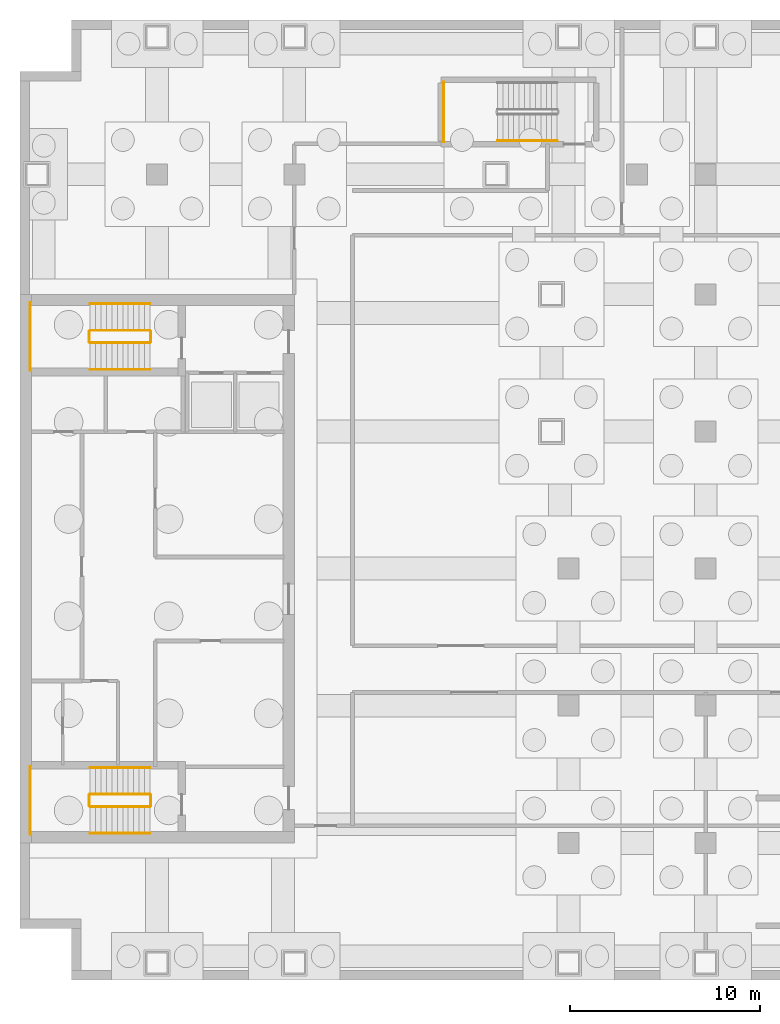
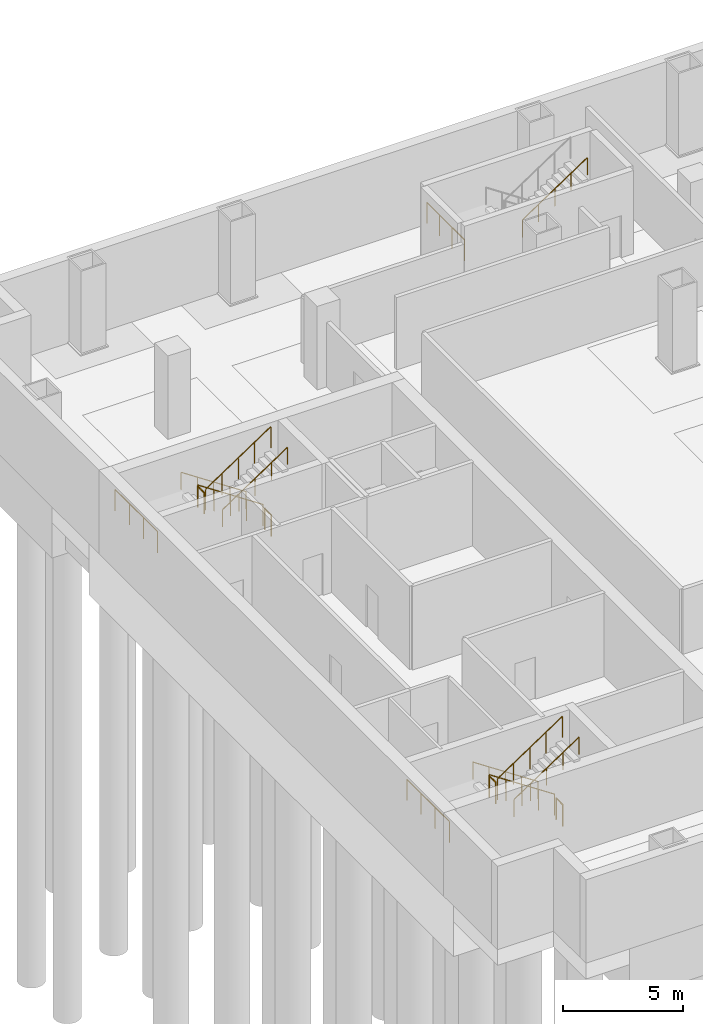
# One storey, part 9 of 11: 16 railings.
"""IFC4 building model written with IfcOpenShell, lengths in metres."""

from ifc_helpers import new_model, si_unit, direction, frame, origin, origin_2d, place, context, subcontext, project, spatial, circle, extrude, material, type_object, element, save


model = new_model("IFC4")

# Units and contexts
model_context = context("Model", 3, precision=1e-05, world=origin(), true_north=direction((0.0, 1.0)))
body_context = subcontext(model_context, "Body", "Model", "MODEL_VIEW")
ifc_project = project(units=[si_unit("LENGTHUNIT", "METRE"), si_unit("AREAUNIT", "SQUARE_METRE"), si_unit("VOLUMEUNIT", "CUBIC_METRE"), si_unit("PLANEANGLEUNIT", "RADIAN"), si_unit("MASSUNIT", "GRAM", prefix="KILO")], contexts=[model_context])

# Site, building, storey
site_placement = place(None, origin())
site = spatial("IfcSite", under=ifc_project, at=site_placement, CompositionType="ELEMENT")
building_placement = place(site_placement, origin())
building = spatial("IfcBuilding", under=site, at=building_placement, Name="Cobrela Telecom Tower", CompositionType="ELEMENT")
storey_placement = place(building_placement, frame((0.0, 0.0, -9.10009765625)))
storey = spatial("IfcBuildingStorey", under=building, at=storey_placement, Name="B2", CompositionType="ELEMENT", Elevation=-9.10009765625)

# Railings
ifc_material = material(Name="Steel ASTM A36", Category="steel")
railing_type_1 = type_object("IfcRailingType", Name="RAIL-GUARD-1100", PredefinedType="GUARDRAIL", material=ifc_material)
railing_1_placement = place(storey_placement, frame((6.820068359375, 34.10009765625, 0.189697265625)))
element("IfcRailing", 1, at=railing_1_placement, inside=storey, type_object=railing_type_1, Name="B2 ST1 stair guard 1", PredefinedType="GUARDRAIL", context=body_context, shape_type="SweptSolid", body=[
    extrude(circle(Radius=0.02392578125, at=origin_2d()), frame((0.0, 0.0, 1.076171875), z_axis=(-0.832608492644, 0.0, 0.553861984593), x_axis=(0.0, -1.0, 0.0)), (0.0, 0.0, 1.0), 3.765380859375),
    extrude(circle(Radius=0.02099609375, at=origin_2d()), origin(), (0.0, 0.0, 1.0), 1.052001953125),
    extrude(circle(Radius=0.02099609375, at=origin_2d()), frame((-0.78369140625, 0.0, 0.521484375)), (0.0, 0.0, 1.0), 1.052001953125),
    extrude(circle(Radius=0.02099609375, at=origin_2d()), frame((-1.5673828125, 0.0, 1.042724609375)), (0.0, 0.0, 1.0), 1.052001953125),
    extrude(circle(Radius=0.02099609375, at=origin_2d()), frame((-2.351318359375, 0.0, 1.56396484375)), (0.0, 0.0, 1.0), 1.052001953125),
    extrude(circle(Radius=0.02099609375, at=origin_2d()), frame((-3.135009765625, 0.0, 2.08544921875)), (0.0, 0.0, 1.0), 1.052001953125),
])
railing_2_placement = place(storey_placement, frame((3.635009765625, 34.050048828125, 2.275146484375)))
element("IfcRailing", 2, at=railing_2_placement, inside=storey, type_object=railing_type_1, Name="B2 ST1 stair guard 2", PredefinedType="GUARDRAIL", context=body_context, shape_type="SweptSolid", body=[
    extrude(circle(Radius=0.02392578125, at=origin_2d()), frame((0.0, 0.0, 1.076171875), z_axis=(0.0, -1.0, 0.0), x_axis=(1.0, 0.0, 0.0)), (0.0, 0.0, 1.0), 0.550048828125),
    extrude(circle(Radius=0.02099609375, at=origin_2d()), origin(), (0.0, 0.0, 1.0), 1.052001953125),
    extrude(circle(Radius=0.02099609375, at=origin_2d()), frame((0.0, -0.550048828125, 0.0)), (0.0, 0.0, 1.0), 1.052001953125),
])
railing_3_placement = place(storey_placement, frame((0.530029296875, 35.550048828125, 2.275146484375)))
element("IfcRailing", 3, at=railing_3_placement, inside=storey, type_object=railing_type_1, Name="B2 ST1 stair guard 3", PredefinedType="GUARDRAIL", context=body_context, shape_type="SweptSolid", body=[
    extrude(circle(Radius=0.02392578125, at=origin_2d()), frame((0.0, 0.0, 1.076171875), z_axis=(0.0, -1.0, 0.0), x_axis=(1.0, 0.0, 0.0)), (0.0, 0.0, 1.0), 3.550048828125),
    extrude(circle(Radius=0.02099609375, at=origin_2d()), origin(), (0.0, 0.0, 1.0), 1.052001953125),
    extrude(circle(Radius=0.02099609375, at=origin_2d()), frame((0.0, -1.183349609375, 0.0)), (0.0, 0.0, 1.0), 1.052001953125),
    extrude(circle(Radius=0.02099609375, at=origin_2d()), frame((0.0, -2.36669921875, 0.0)), (0.0, 0.0, 1.0), 1.052001953125),
    extrude(circle(Radius=0.02099609375, at=origin_2d()), frame((0.0, -3.550048828125, 0.0)), (0.0, 0.0, 1.0), 1.052001953125),
])
railing_4_placement = place(storey_placement, frame((3.68505859375, 33.449951171875, 2.464599609375)))
element("IfcRailing", 4, at=railing_4_placement, inside=storey, type_object=railing_type_1, Name="B2 ST1 stair guard 4", PredefinedType="GUARDRAIL", context=body_context, shape_type="SweptSolid", body=[
    extrude(circle(Radius=0.02392578125, at=origin_2d()), frame((0.0, 0.0, 1.076171875), z_axis=(0.832608492644, 0.0, 0.553861984593), x_axis=(0.0, 1.0, 0.0)), (0.0, 0.0, 1.0), 3.765380859375),
    extrude(circle(Radius=0.02099609375, at=origin_2d()), origin(), (0.0, 0.0, 1.0), 1.052001953125),
    extrude(circle(Radius=0.02099609375, at=origin_2d()), frame((0.78369140625, 0.0, 0.521484375)), (0.0, 0.0, 1.0), 1.052001953125),
    extrude(circle(Radius=0.02099609375, at=origin_2d()), frame((1.5673828125, 0.0, 1.042724609375)), (0.0, 0.0, 1.0), 1.052001953125),
    extrude(circle(Radius=0.02099609375, at=origin_2d()), frame((2.351318359375, 0.0, 1.56396484375)), (0.0, 0.0, 1.0), 1.052001953125),
    extrude(circle(Radius=0.02099609375, at=origin_2d()), frame((3.135009765625, 0.0, 2.08544921875)), (0.0, 0.0, 1.0), 1.052001953125),
])
railing_5_placement = place(storey_placement, frame((6.8701171875, 34.050048828125, 0.0)))
element("IfcRailing", 5, at=railing_5_placement, inside=storey, type_object=railing_type_1, Name="B2 ST1 stair guard 5", PredefinedType="GUARDRAIL", context=body_context, shape_type="SweptSolid", body=[
    extrude(circle(Radius=0.02392578125, at=origin_2d()), frame((0.0, 0.0, 1.076171875), z_axis=(0.0, -1.0, 0.0), x_axis=(1.0, 0.0, 0.0)), (0.0, 0.0, 1.0), 0.550048828125),
    extrude(circle(Radius=0.02099609375, at=origin_2d()), origin(), (0.0, 0.0, 1.0), 1.052001953125),
    extrude(circle(Radius=0.02099609375, at=origin_2d()), frame((0.0, -0.550048828125, 0.0)), (0.0, 0.0, 1.0), 1.052001953125),
])
railing_6_placement = place(storey_placement, frame((6.820068359375, 9.75, 0.189697265625)))
element("IfcRailing", 6, at=railing_6_placement, inside=storey, type_object=railing_type_1, Name="B2 ST2 stair guard 1", PredefinedType="GUARDRAIL", context=body_context, shape_type="SweptSolid", body=[
    extrude(circle(Radius=0.02392578125, at=origin_2d()), frame((0.0, 0.0, 1.076171875), z_axis=(-0.832608492644, 0.0, 0.553861984593), x_axis=(0.0, -1.0, 0.0)), (0.0, 0.0, 1.0), 3.765380859375),
    extrude(circle(Radius=0.02099609375, at=origin_2d()), origin(), (0.0, 0.0, 1.0), 1.052001953125),
    extrude(circle(Radius=0.02099609375, at=origin_2d()), frame((-0.78369140625, 0.0, 0.521484375)), (0.0, 0.0, 1.0), 1.052001953125),
    extrude(circle(Radius=0.02099609375, at=origin_2d()), frame((-1.5673828125, 0.0, 1.042724609375)), (0.0, 0.0, 1.0), 1.052001953125),
    extrude(circle(Radius=0.02099609375, at=origin_2d()), frame((-2.351318359375, 0.0, 1.56396484375)), (0.0, 0.0, 1.0), 1.052001953125),
    extrude(circle(Radius=0.02099609375, at=origin_2d()), frame((-3.135009765625, 0.0, 2.08544921875)), (0.0, 0.0, 1.0), 1.052001953125),
])
railing_7_placement = place(storey_placement, frame((3.635009765625, 9.699951171875, 2.275146484375)))
element("IfcRailing", 7, at=railing_7_placement, inside=storey, type_object=railing_type_1, Name="B2 ST2 stair guard 2", PredefinedType="GUARDRAIL", context=body_context, shape_type="SweptSolid", body=[
    extrude(circle(Radius=0.02392578125, at=origin_2d()), frame((0.0, 0.0, 1.076171875), z_axis=(0.0, -1.0, 0.0), x_axis=(1.0, 0.0, 0.0)), (0.0, 0.0, 1.0), 0.550048828125),
    extrude(circle(Radius=0.02099609375, at=origin_2d()), origin(), (0.0, 0.0, 1.0), 1.052001953125),
    extrude(circle(Radius=0.02099609375, at=origin_2d()), frame((0.0, -0.550048828125, 0.0)), (0.0, 0.0, 1.0), 1.052001953125),
])
railing_8_placement = place(storey_placement, frame((0.530029296875, 11.199951171875, 2.275146484375)))
element("IfcRailing", 8, at=railing_8_placement, inside=storey, type_object=railing_type_1, Name="B2 ST2 stair guard 3", PredefinedType="GUARDRAIL", context=body_context, shape_type="SweptSolid", body=[
    extrude(circle(Radius=0.02392578125, at=origin_2d()), frame((0.0, 0.0, 1.076171875), z_axis=(0.0, -1.0, 0.0), x_axis=(1.0, 0.0, 0.0)), (0.0, 0.0, 1.0), 3.550048828125),
    extrude(circle(Radius=0.02099609375, at=origin_2d()), origin(), (0.0, 0.0, 1.0), 1.052001953125),
    extrude(circle(Radius=0.02099609375, at=origin_2d()), frame((0.0, -1.183349609375, 0.0)), (0.0, 0.0, 1.0), 1.052001953125),
    extrude(circle(Radius=0.02099609375, at=origin_2d()), frame((0.0, -2.36669921875, 0.0)), (0.0, 0.0, 1.0), 1.052001953125),
    extrude(circle(Radius=0.02099609375, at=origin_2d()), frame((0.0, -3.550048828125, 0.0)), (0.0, 0.0, 1.0), 1.052001953125),
])
railing_9_placement = place(storey_placement, frame((3.68505859375, 9.10009765625, 2.464599609375)))
element("IfcRailing", 9, at=railing_9_placement, inside=storey, type_object=railing_type_1, Name="B2 ST2 stair guard 4", PredefinedType="GUARDRAIL", context=body_context, shape_type="SweptSolid", body=[
    extrude(circle(Radius=0.02392578125, at=origin_2d()), frame((0.0, 0.0, 1.076171875), z_axis=(0.832608492644, 0.0, 0.553861984593), x_axis=(0.0, 1.0, 0.0)), (0.0, 0.0, 1.0), 3.765380859375),
    extrude(circle(Radius=0.02099609375, at=origin_2d()), origin(), (0.0, 0.0, 1.0), 1.052001953125),
    extrude(circle(Radius=0.02099609375, at=origin_2d()), frame((0.78369140625, 0.0, 0.521484375)), (0.0, 0.0, 1.0), 1.052001953125),
    extrude(circle(Radius=0.02099609375, at=origin_2d()), frame((1.5673828125, 0.0, 1.042724609375)), (0.0, 0.0, 1.0), 1.052001953125),
    extrude(circle(Radius=0.02099609375, at=origin_2d()), frame((2.351318359375, 0.0, 1.56396484375)), (0.0, 0.0, 1.0), 1.052001953125),
    extrude(circle(Radius=0.02099609375, at=origin_2d()), frame((3.135009765625, 0.0, 2.08544921875)), (0.0, 0.0, 1.0), 1.052001953125),
])
railing_10_placement = place(storey_placement, frame((6.8701171875, 9.699951171875, 0.0)))
element("IfcRailing", 10, at=railing_10_placement, inside=storey, type_object=railing_type_1, Name="B2 ST2 stair guard 5", PredefinedType="GUARDRAIL", context=body_context, shape_type="SweptSolid", body=[
    extrude(circle(Radius=0.02392578125, at=origin_2d()), frame((0.0, 0.0, 1.076171875), z_axis=(0.0, -1.0, 0.0), x_axis=(1.0, 0.0, 0.0)), (0.0, 0.0, 1.0), 0.550048828125),
    extrude(circle(Radius=0.02099609375, at=origin_2d()), origin(), (0.0, 0.0, 1.0), 1.052001953125),
    extrude(circle(Radius=0.02099609375, at=origin_2d()), frame((0.0, -0.550048828125, 0.0)), (0.0, 0.0, 1.0), 1.052001953125),
])
railing_11_placement = place(storey_placement, frame((22.25, 47.14990234375, 2.275146484375)))
element("IfcRailing", 11, at=railing_11_placement, inside=storey, type_object=railing_type_1, Name="B2 ST3 stair guard 3", PredefinedType="GUARDRAIL", context=body_context, shape_type="SweptSolid", body=[
    extrude(circle(Radius=0.02392578125, at=origin_2d()), frame((0.0, 0.0, 1.076171875), z_axis=(0.0, -1.0, 0.0), x_axis=(1.0, 0.0, 0.0)), (0.0, 0.0, 1.0), 3.14990234375),
    extrude(circle(Radius=0.02099609375, at=origin_2d()), origin(), (0.0, 0.0, 1.0), 1.052001953125),
    extrude(circle(Radius=0.02099609375, at=origin_2d()), frame((0.0, -1.050048828125, 0.0)), (0.0, 0.0, 1.0), 1.052001953125),
    extrude(circle(Radius=0.02099609375, at=origin_2d()), frame((0.0, -2.099853515625, 0.0)), (0.0, 0.0, 1.0), 1.052001953125),
    extrude(circle(Radius=0.02099609375, at=origin_2d()), frame((0.0, -3.14990234375, 0.0)), (0.0, 0.0, 1.0), 1.052001953125),
])
railing_type_2 = type_object("IfcRailingType", Name="RAIL-HAND-920", PredefinedType="HANDRAIL", material=ifc_material)
railing_12_placement = place(storey_placement, frame((6.820068359375, 35.5, 0.189697265625)))
element("IfcRailing", 12, at=railing_12_placement, inside=storey, type_object=railing_type_2, Name="B2 ST1 stair handrail 1", PredefinedType="HANDRAIL", context=body_context, shape_type="SweptSolid", body=[
    extrude(circle(Radius=0.02392578125, at=origin_2d()), frame((0.0, 0.0, 0.8759765625), z_axis=(-0.832608492644, 0.0, 0.553861984593), x_axis=(0.0, -1.0, 0.0)), (0.0, 0.0, 1.0), 3.765380859375),
    extrude(circle(Radius=0.02099609375, at=origin_2d()), origin(), (0.0, 0.0, 1.0), 0.851806640625),
    extrude(circle(Radius=0.02099609375, at=origin_2d()), frame((-0.78369140625, 0.0, 0.521484375)), (0.0, 0.0, 1.0), 0.851806640625),
    extrude(circle(Radius=0.02099609375, at=origin_2d()), frame((-1.5673828125, 0.0, 1.042724609375)), (0.0, 0.0, 1.0), 0.851806640625),
    extrude(circle(Radius=0.02099609375, at=origin_2d()), frame((-2.351318359375, 0.0, 1.56396484375)), (0.0, 0.0, 1.0), 0.851806640625),
    extrude(circle(Radius=0.02099609375, at=origin_2d()), frame((-3.135009765625, 0.0, 2.08544921875)), (0.0, 0.0, 1.0), 0.851806640625),
])
railing_13_placement = place(storey_placement, frame((3.68505859375, 32.050048828125, 2.464599609375)))
element("IfcRailing", 13, at=railing_13_placement, inside=storey, type_object=railing_type_2, Name="B2 ST1 stair handrail 2", PredefinedType="HANDRAIL", context=body_context, shape_type="SweptSolid", body=[
    extrude(circle(Radius=0.02392578125, at=origin_2d()), frame((0.0, 0.0, 0.8759765625), z_axis=(0.832608492644, 0.0, 0.553861984593), x_axis=(0.0, 1.0, 0.0)), (0.0, 0.0, 1.0), 3.765380859375),
    extrude(circle(Radius=0.02099609375, at=origin_2d()), origin(), (0.0, 0.0, 1.0), 0.851806640625),
    extrude(circle(Radius=0.02099609375, at=origin_2d()), frame((0.78369140625, 0.0, 0.521484375)), (0.0, 0.0, 1.0), 0.851806640625),
    extrude(circle(Radius=0.02099609375, at=origin_2d()), frame((1.5673828125, 0.0, 1.042724609375)), (0.0, 0.0, 1.0), 0.851806640625),
    extrude(circle(Radius=0.02099609375, at=origin_2d()), frame((2.351318359375, 0.0, 1.56396484375)), (0.0, 0.0, 1.0), 0.851806640625),
    extrude(circle(Radius=0.02099609375, at=origin_2d()), frame((3.135009765625, 0.0, 2.08544921875)), (0.0, 0.0, 1.0), 0.851806640625),
])
railing_14_placement = place(storey_placement, frame((6.820068359375, 11.14990234375, 0.189697265625)))
element("IfcRailing", 14, at=railing_14_placement, inside=storey, type_object=railing_type_2, Name="B2 ST2 stair handrail 1", PredefinedType="HANDRAIL", context=body_context, shape_type="SweptSolid", body=[
    extrude(circle(Radius=0.02392578125, at=origin_2d()), frame((0.0, 0.0, 0.8759765625), z_axis=(-0.832608492644, 0.0, 0.553861984593), x_axis=(0.0, -1.0, 0.0)), (0.0, 0.0, 1.0), 3.765380859375),
    extrude(circle(Radius=0.02099609375, at=origin_2d()), origin(), (0.0, 0.0, 1.0), 0.851806640625),
    extrude(circle(Radius=0.02099609375, at=origin_2d()), frame((-0.78369140625, 0.0, 0.521484375)), (0.0, 0.0, 1.0), 0.851806640625),
    extrude(circle(Radius=0.02099609375, at=origin_2d()), frame((-1.5673828125, 0.0, 1.042724609375)), (0.0, 0.0, 1.0), 0.851806640625),
    extrude(circle(Radius=0.02099609375, at=origin_2d()), frame((-2.351318359375, 0.0, 1.56396484375)), (0.0, 0.0, 1.0), 0.851806640625),
    extrude(circle(Radius=0.02099609375, at=origin_2d()), frame((-3.135009765625, 0.0, 2.08544921875)), (0.0, 0.0, 1.0), 0.851806640625),
])
for number, where, name in (
    (15, (3.68505859375, 7.699951171875, 2.464599609375), "B2 ST2 stair handrail 2"),
    (16, (25.06494140625, 44.050048828125, 2.464599609375), "B2 ST3 stair handrail 2"),
):
    element("IfcRailing", number, at=place(storey_placement, frame(where)), inside=storey, type_object=railing_type_2, Name=name, PredefinedType="HANDRAIL", context=body_context, shape_type="SweptSolid", body=[
        extrude(circle(Radius=0.02392578125, at=origin_2d()), frame((0.0, 0.0, 0.8759765625), z_axis=(0.832608492644, 0.0, 0.553861984593), x_axis=(0.0, 1.0, 0.0)), (0.0, 0.0, 1.0), 3.765380859375),
        extrude(circle(Radius=0.02099609375, at=origin_2d()), origin(), (0.0, 0.0, 1.0), 0.851806640625),
        extrude(circle(Radius=0.02099609375, at=origin_2d()), frame((0.78369140625, 0.0, 0.521484375)), (0.0, 0.0, 1.0), 0.851806640625),
        extrude(circle(Radius=0.02099609375, at=origin_2d()), frame((1.5673828125, 0.0, 1.042724609375)), (0.0, 0.0, 1.0), 0.851806640625),
        extrude(circle(Radius=0.02099609375, at=origin_2d()), frame((2.351318359375, 0.0, 1.56396484375)), (0.0, 0.0, 1.0), 0.851806640625),
        extrude(circle(Radius=0.02099609375, at=origin_2d()), frame((3.135009765625, 0.0, 2.08544921875)), (0.0, 0.0, 1.0), 0.851806640625),
    ])

save(model, "model.ifc")
